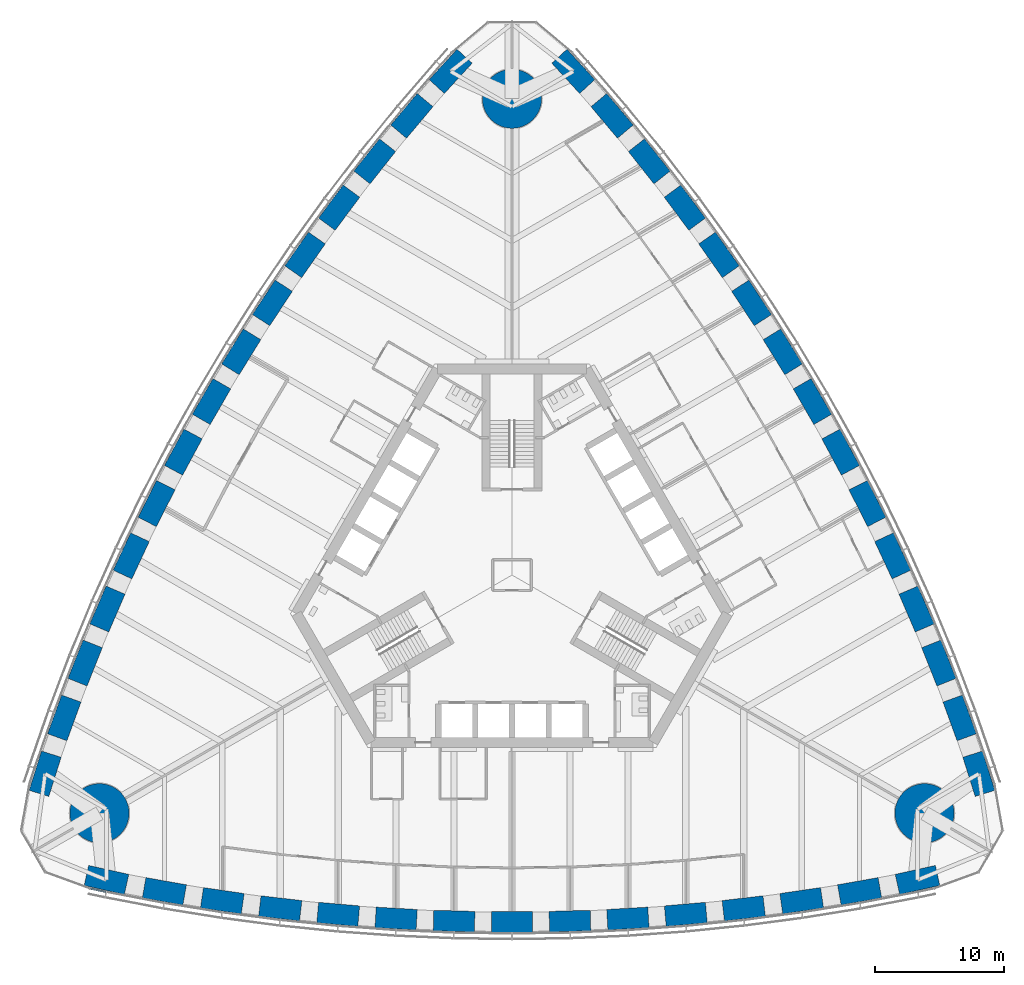
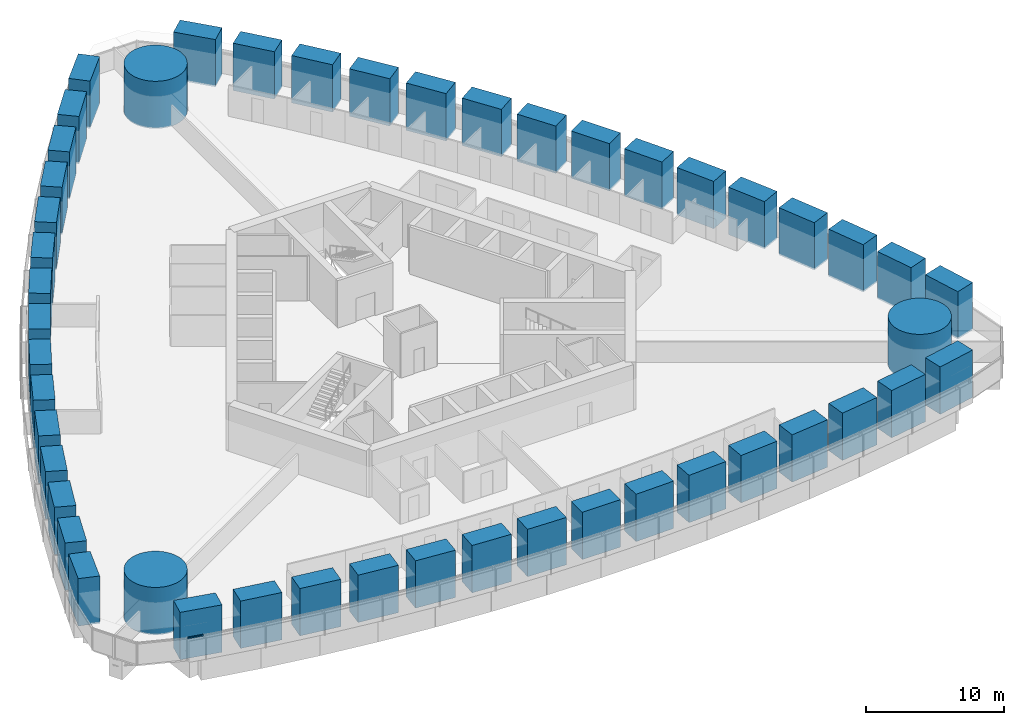
# One storey, part 1 of 18: 48 columns, 1 member, 1 element without a shape of its own.
"""IFC4 building model written with IfcOpenShell, lengths in metres."""

from ifc_helpers import new_model, si_unit, direction, frame, origin, origin_2d, place, context, subcontext, project, spatial, rectangle, circle, extrude, material, material_profile, profile_set, type_object, element, aggregate, save


model = new_model("IFC4")

# Units and contexts
model_context = context("Model", 3, precision=1e-05, world=origin(), true_north=direction((0.0, 1.0)))
body_context = subcontext(model_context, "Body", "Model", "MODEL_VIEW")
ifc_project = project(units=[si_unit("LENGTHUNIT", "METRE"), si_unit("AREAUNIT", "SQUARE_METRE"), si_unit("VOLUMEUNIT", "CUBIC_METRE"), si_unit("PLANEANGLEUNIT", "RADIAN"), si_unit("MASSUNIT", "GRAM", prefix="KILO")], contexts=[model_context])

# Site, building, storey
site_placement = place(None, origin())
site = spatial("IfcSite", under=ifc_project, at=site_placement, CompositionType="ELEMENT")
building_placement = place(site_placement, origin())
building = spatial("IfcBuilding", under=site, at=building_placement, Name="Trefoil Bronze Tower", CompositionType="ELEMENT")
storey_placement = place(building_placement, frame((0.0, 0.0, 87.89990234375)))
storey = spatial("IfcBuildingStorey", under=building, at=storey_placement, Name="L20", CompositionType="ELEMENT", Elevation=87.89990234375)

# Columns
ifc_material_1 = material(Name="Concrete B80", Category="concrete")
ifc_material_profile_1 = material_profile(ifc_material_1, circle(Radius=2.300048828125, at=origin_2d()), Name="RC D4600")
ifc_profile_set_1 = profile_set([ifc_material_profile_1], Name="Concrete B80")
column_type_1 = type_object("IfcColumnType", Name="Mega column RC D4600", PredefinedType="COLUMN", material=ifc_profile_set_1)
for number, where, z_axis, x_axis, name in (
    (1, (32.04296875, -18.5, 0.0), (0.0, 0.0, 1.0), (1.0, 0.0, 0.0), "Mega column K1 L20"),
    (2, (0.0, 37.0, 0.0), (0.0, 0.0, 1.0), (1.0, 0.0, 0.0), "Mega column K2 L20"),
    (3, (-32.04296875, -18.5, 0.0), (0.0, 0.0, 1.0), (1.0, 0.0, 0.0), "Mega column K3 L20"),
):
    element("IfcColumn", number, at=place(storey_placement, frame(where, z_axis=z_axis, x_axis=x_axis)), inside=storey, type_object=column_type_1, Name=name, PredefinedType="COLUMN", context=body_context, shape_type="SweptSolid", body=[
        extrude(circle(Radius=2.300048828125, at=origin_2d()), origin(), (0.0, 0.0, 1.0), 4.2001953125),
    ])
ifc_material_2 = material(Name="Concrete B80", Category="concrete")
ifc_material_profile_2 = material_profile(ifc_material_2, rectangle(XDim=3.199951171875, YDim=1.60009765625, at=origin_2d()), Name="RC 3200x1600")
ifc_profile_set_2 = profile_set([ifc_material_profile_2], Name="Concrete B80")
column_type_2 = type_object("IfcColumnType", Name="Tube column RC 3200x1600", PredefinedType="COLUMN", material=ifc_profile_set_2)
for number, where, z_axis, x_axis, name in (
    (4, (-31.5, -23.684814453125, 0.0), (0.0, 0.0, 1.0), (0.976229647342, -0.216738726697, 0.0), "Tube column F1/-7 L20"),
    (5, (-27.0, -24.56787109375, 0.0), (0.0, 0.0, 1.0), (0.984722470468, -0.174131146426, 0.0), "Tube column F1/-6 L20"),
    (6, (-22.5, -25.29931640625, 0.0), (0.0, 0.0, 1.0), (0.989415676546, -0.145108990094, 0.0), "Tube column F1/-5 L20"),
    (7, (-18.0, -25.895263671875, 0.0), (0.0, 0.0, 1.0), (0.993239048989, -0.116086999973, 0.0), "Tube column F1/-4 L20"),
    (8, (-13.5, -26.35693359375, 0.0), (0.0, 0.0, 1.0), (0.996202620701, -0.087065139456, 0.0), "Tube column F1/-3 L20"),
    (9, (-9.0, -26.68603515625, 0.0), (0.0, 0.0, 1.0), (0.998314062162, -0.058043374207, 0.0), "Tube column F1/-2 L20"),
    (10, (-4.5, -26.883056640625, 0.0), (0.0, 0.0, 1.0), (0.999578782577, -0.029021671584, 0.0), "Tube column F1/-1 L20"),
    (11, (0.0, -26.94873046875, 0.0), (0.0, 0.0, 1.0), (1.0, 0.0, 0.0), "Tube column F1/+0 L20"),
    (12, (4.5, -26.883056640625, 0.0), (0.0, 0.0, 1.0), (0.999578782577, 0.029021671584, 0.0), "Tube column F1/+1 L20"),
    (13, (9.0, -26.68603515625, 0.0), (0.0, 0.0, 1.0), (0.998314062162, 0.058043374207, 0.0), "Tube column F1/+2 L20"),
    (14, (13.5, -26.35693359375, 0.0), (0.0, 0.0, 1.0), (0.996202620701, 0.087065139456, 0.0), "Tube column F1/+3 L20"),
    (15, (18.0, -25.895263671875, 0.0), (0.0, 0.0, 1.0), (0.993239048989, 0.116086999973, 0.0), "Tube column F1/+4 L20"),
    (16, (22.5, -25.29931640625, 0.0), (0.0, 0.0, 1.0), (0.989415676546, 0.145108990094, 0.0), "Tube column F1/+5 L20"),
    (17, (27.0, -24.56787109375, 0.0), (0.0, 0.0, 1.0), (0.984722470468, 0.174131146426, 0.0), "Tube column F1/+6 L20"),
    (18, (31.5, -23.684814453125, 0.0), (0.0, 0.0, 1.0), (0.976229647342, 0.216738726697, 0.0), "Tube column F1/+7 L20"),
    (19, (36.26171875, -15.4375, 0.0), (0.0, 0.0, 1.0), (-0.300413580368, 0.953809037874, 0.0), "Tube column F2/-7 L20"),
    (20, (34.7763671875, -11.0986328125, 0.0), (0.0, 0.0, 1.0), (-0.341559238839, 0.939860248316, 0.0), "Tube column F2/-6 L20"),
    (21, (33.159912109375, -6.8359375, 0.0), (0.0, 0.0, 1.0), (-0.369039766534, 0.929413605838, 0.0), "Tube column F2/-5 L20"),
    (22, (31.42578125, -2.640869140625, 0.0), (0.0, 0.0, 1.0), (-0.396085233469, 0.918213748442, 0.0), "Tube column F2/-4 L20"),
    (23, (29.575927734375, 1.487060546875, 0.0), (0.0, 0.0, 1.0), (-0.422700687798, 0.906269346572, 0.0), "Tube column F2/-3 L20"),
    (24, (27.61083984375, 5.548828125, 0.0), (0.0, 0.0, 1.0), (-0.448889994497, 0.893587025891, 0.0), "Tube column F2/-2 L20"),
    (25, (25.531494140625, 9.54443359375, 0.0), (0.0, 0.0, 1.0), (-0.474655886437, 0.880171454588, 0.0), "Tube column F2/-1 L20"),
    (26, (23.33837890625, 13.474365234375, 0.0), (0.0, 0.0, 1.0), (-0.5, 0.866025403784, 0.0), "Tube column F2/+0 L20"),
    (27, (21.031494140625, 17.338623046875, 0.0), (0.0, 0.0, 1.0), (-0.524922896141, 0.851149783004, 0.0), "Tube column F2/+1 L20"),
    (28, (18.61083984375, 21.13720703125, 0.0), (0.0, 0.0, 1.0), (-0.549424067665, 0.835543651684, 0.0), "Tube column F2/+2 L20"),
    (29, (16.075927734375, 24.869873046875, 0.0), (0.0, 0.0, 1.0), (-0.573501932903, 0.819204207116, 0.0), "Tube column F2/+3 L20"),
    (30, (13.42578125, 28.5361328125, 0.0), (0.0, 0.0, 1.0), (-0.59715381552, 0.802126748469, 0.0), "Tube column F2/+4 L20"),
    (31, (10.659912109375, 32.13525390625, 0.0), (0.0, 0.0, 1.0), (-0.620375910011, 0.784304615744, 0.0), "Tube column F2/+5 L20"),
    (32, (7.7763671875, 35.666748046875, 0.0), (0.0, 0.0, 1.0), (-0.643163231629, 0.765729101889, 0.0), "Tube column F2/+6 L20"),
    (33, (4.76171875, 39.122314453125, 0.0), (0.0, 0.0, 1.0), (-0.675816066975, 0.737070311177, 0.0), "Tube column F2/+7 L20"),
    (34, (-4.76171875, 39.122314453125, 0.0), (0.0, 0.0, 1.0), (-0.675816066975, -0.737070311177, 0.0), "Tube column F3/-7 L20"),
    (35, (-7.7763671875, 35.666748046875, 0.0), (0.0, 0.0, 1.0), (-0.643163231629, -0.765729101889, 0.0), "Tube column F3/-6 L20"),
    (36, (-10.659912109375, 32.13525390625, 0.0), (0.0, 0.0, 1.0), (-0.620375910011, -0.784304615744, 0.0), "Tube column F3/-5 L20"),
    (37, (-13.42578125, 28.5361328125, 0.0), (0.0, 0.0, 1.0), (-0.59715381552, -0.802126748469, 0.0), "Tube column F3/-4 L20"),
    (38, (-16.075927734375, 24.869873046875, 0.0), (0.0, 0.0, 1.0), (-0.573501932903, -0.819204207116, 0.0), "Tube column F3/-3 L20"),
    (39, (-18.61083984375, 21.13720703125, 0.0), (0.0, 0.0, 1.0), (-0.549424067665, -0.835543651684, 0.0), "Tube column F3/-2 L20"),
    (40, (-21.031494140625, 17.338623046875, 0.0), (0.0, 0.0, 1.0), (-0.524922896141, -0.851149783004, 0.0), "Tube column F3/-1 L20"),
    (41, (-23.33837890625, 13.474365234375, 0.0), (0.0, 0.0, 1.0), (-0.5, -0.866025403784, 0.0), "Tube column F3/+0 L20"),
    (42, (-25.531494140625, 9.54443359375, 0.0), (0.0, 0.0, 1.0), (-0.474655886437, -0.880171454588, 0.0), "Tube column F3/+1 L20"),
    (43, (-27.61083984375, 5.548828125, 0.0), (0.0, 0.0, 1.0), (-0.448889994497, -0.893587025891, 0.0), "Tube column F3/+2 L20"),
    (44, (-29.575927734375, 1.487060546875, 0.0), (0.0, 0.0, 1.0), (-0.422700687798, -0.906269346572, 0.0), "Tube column F3/+3 L20"),
    (45, (-31.42578125, -2.640869140625, 0.0), (0.0, 0.0, 1.0), (-0.396085233469, -0.918213748442, 0.0), "Tube column F3/+4 L20"),
    (46, (-33.159912109375, -6.8359375, 0.0), (0.0, 0.0, 1.0), (-0.369039766534, -0.929413605838, 0.0), "Tube column F3/+5 L20"),
    (47, (-34.7763671875, -11.0986328125, 0.0), (0.0, 0.0, 1.0), (-0.341559238839, -0.939860248316, 0.0), "Tube column F3/+6 L20"),
    (48, (-36.26171875, -15.4375, 0.0), (0.0, 0.0, 1.0), (-0.300413580368, -0.953809037874, 0.0), "Tube column F3/+7 L20"),
):
    element("IfcColumn", number, at=place(storey_placement, frame(where, z_axis=z_axis, x_axis=x_axis)), inside=storey, type_object=column_type_2, Name=name, PredefinedType="COLUMN", context=body_context, shape_type="SweptSolid", body=[
        extrude(rectangle(XDim=3.199951171875, YDim=1.60009765625, at=origin_2d()), origin(), (0.0, 0.0, 1.0), 4.2001953125),
    ])

# Curtain wall, member
ifc_material_3 = material(Name="Tinted solar-control glass", Category="glass")
curtain_wall_type = type_object("IfcCurtainWallType", Name="Bronze office curtain wall", PredefinedType="USERDEFINED", material=ifc_material_3)
curtain_wall_placement = place(storey_placement, origin())
curtain_wall = element("IfcCurtainWall", 49, at=curtain_wall_placement, inside=storey, type_object=curtain_wall_type, Name="CW-A L20 F1", ObjectType="CURTAIN WALL", PredefinedType="USERDEFINED")
ifc_material_4 = material(Name="Bronze-finish aluminium", Category="aluminium")
ifc_material_profile_3 = material_profile(ifc_material_4, rectangle(XDim=0.1201171875, YDim=0.10009765625, at=origin_2d()), Name="CW-A transom")
ifc_profile_set_3 = profile_set([ifc_material_profile_3], Name="Bronze-finish aluminium")
member_type = type_object("IfcMemberType", Name="Bronze office curtain wall transom", PredefinedType="USERDEFINED", material=ifc_profile_set_3)
member_placement = place(storey_placement, frame((-32.743896484375, -24.354736328125, 1.900146484375), z_axis=(0.978266371807, -0.207352129942, 0.0), x_axis=(0.207352129942, 0.978266371807, 0.0)))
member = element("IfcMember", 50, at=member_placement, type_object=member_type, Name="CW-A L20 F1 transom 1", ObjectType="TRANSOM", PredefinedType="USERDEFINED", context=body_context, shape_type="SweptSolid", body=[
    extrude(rectangle(XDim=0.1201171875, YDim=0.10009765625, at=origin_2d()), origin(), (0.0, 0.0, 1.0), 1.21044921875),
])
aggregate(curtain_wall, [member])

save(model, "model.ifc")
